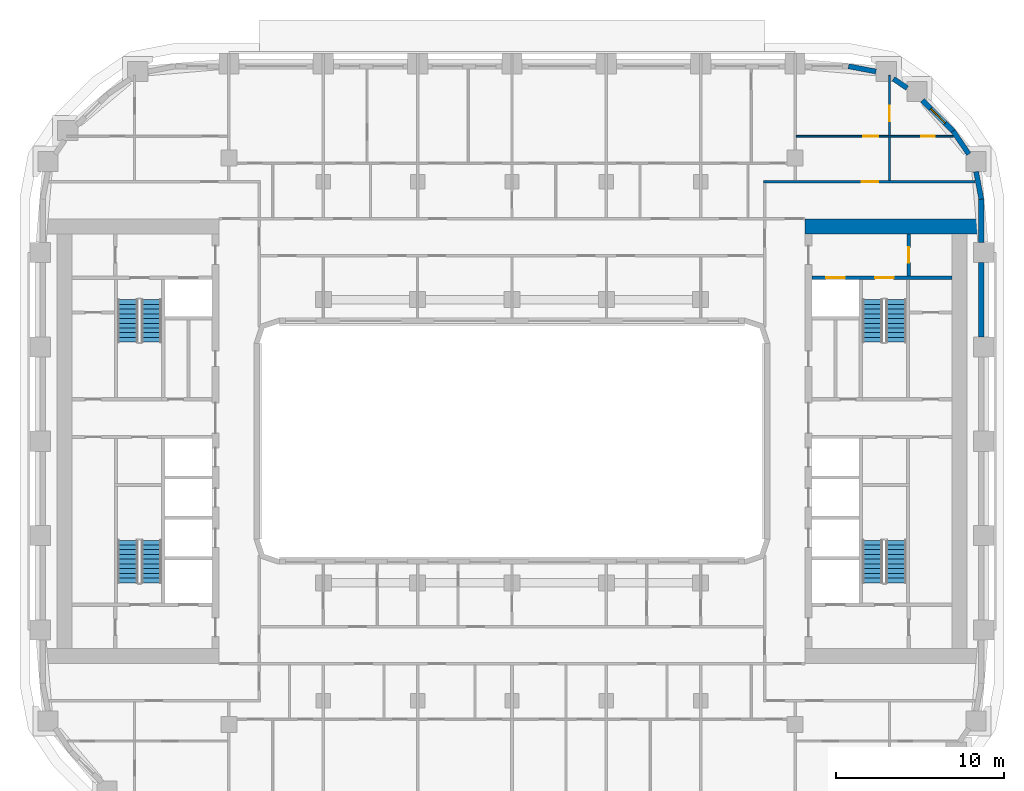
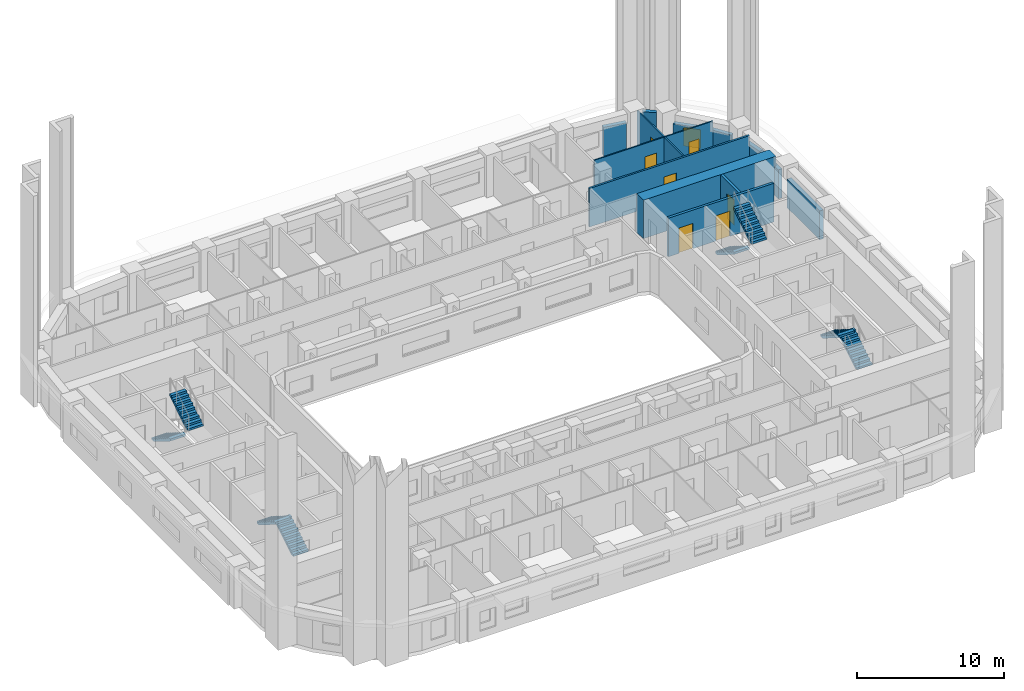
# One storey, part 11 of 23: 14 walls, 8 stair flights, 7 doors, 1 window, 8 openings, 4 elements without a shape of their own.
"""IFC4 building model written with IfcOpenShell, lengths in metres."""

from ifc_helpers import new_model, si_unit, direction, frame, frame_2d, origin, place, context, subcontext, project, spatial, polyline, rectangle, outline, extrude, material, layer, layer_set, type_object, element, fill, aggregate, save


model = new_model("IFC4")

# Units and contexts
model_context = context("Model", 3, precision=1e-05, world=origin(), true_north=direction((0.0, 1.0)))
body_context = subcontext(model_context, "Body", "Model", "MODEL_VIEW")
ifc_project = project(units=[si_unit("LENGTHUNIT", "METRE"), si_unit("AREAUNIT", "SQUARE_METRE"), si_unit("VOLUMEUNIT", "CUBIC_METRE"), si_unit("PLANEANGLEUNIT", "RADIAN"), si_unit("MASSUNIT", "GRAM", prefix="KILO")], contexts=[model_context])

# Site, building, storey
site_placement = place(None, origin())
site = spatial("IfcSite", under=ifc_project, at=site_placement, CompositionType="ELEMENT")
building_placement = place(site_placement, origin())
building = spatial("IfcBuilding", under=site, at=building_placement, Name="Kiln Ring Residences", CompositionType="ELEMENT")
storey_placement = place(building_placement, frame((0.0, 0.0, 107.800048828125)))
storey = spatial("IfcBuildingStorey", under=building, at=storey_placement, Name="L27", CompositionType="ELEMENT", Elevation=107.800048828125)

# Wall, opening, door
ifc_material_1 = material(Name="Gypsum board on steel studs", Category="steel")
ifc_layer_1 = layer(ifc_material_1, 0.199951171875)
ifc_layer_set_1 = layer_set([ifc_layer_1], Name="CORE-PARTITION-200")
wall_type_1 = type_object("IfcWallType", Name="CORE-PARTITION-200", PredefinedType="PARTITIONING", material=ifc_layer_set_1)
wall_1_placement = place(storey_placement, frame((23.550048828125, 9.800048828125, 0.0), z_axis=(0.0, 0.0, 1.0), x_axis=(0.0, 1.0, 0.0)))
wall_1 = element("IfcWall", 1, at=wall_1_placement, inside=storey, type_object=wall_type_1, Name="Core partition east L27 4", PredefinedType="PARTITIONING", context=body_context, shape_type="SweptSolid", body=[
    extrude(rectangle(XDim=2.5, YDim=0.199951171875, at=frame_2d((1.25, 0.0))), origin(), (0.0, 0.0, 1.0), 3.199951171875),
])
opening_1_placement = place(wall_1_placement, frame((0.800048828125, 0.0, 0.0)))
opening_1 = element("IfcOpeningElement", 2, at=opening_1_placement, cuts=wall_1, Name="Opening L27-CE10", PredefinedType="OPENING", context=body_context, shape_type="SweptSolid", body=[
    extrude(rectangle(XDim=0.89990234375, YDim=2.10009765625, at=frame_2d((0.449951171875, 1.050048828125))), frame((0.0, 0.10986328125, 0.0), z_axis=(0.0, -1.0, 0.0), x_axis=(1.0, 0.0, 0.0)), (0.0, 0.0, 1.0), 0.219970703125),
])
ifc_material_2 = material(Name="Steel door leaf", Category="steel")
door_type_1 = type_object("IfcDoorType", Name="CORE-DOOR-ROOM", OperationType="SINGLE_SWING_LEFT", PredefinedType="DOOR", material=ifc_material_2)
door_1_placement = place(opening_1_placement, origin())
door_1 = element("IfcDoor", 3, at=door_1_placement, inside=storey, type_object=door_type_1, Name="Fire riser room L27-CE10", OperationType="SINGLE_SWING_LEFT", OverallHeight=2.10009765625, OverallWidth=0.89990234375, PredefinedType="DOOR", context=body_context, shape_type="SweptSolid", body=[
    extrude(rectangle(XDim=0.89990234375, YDim=2.10009765625, at=frame_2d((0.449951171875, 1.050048828125))), frame((0.0, 0.02490234375, 0.0), z_axis=(0.0, -1.0, 0.0), x_axis=(1.0, 0.0, 0.0)), (0.0, 0.0, 1.0), 0.050048828125),
])
fill(opening_1, door_1)

# Wall, openings, doors
ifc_material_3 = material(Name="Concrete C40/50", Category="concrete")
ifc_layer_2 = layer(ifc_material_3, 0.199951171875)
ifc_layer_set_2 = layer_set([ifc_layer_2], Name="CORE-WALL-RC200")
wall_type_2 = type_object("IfcWallType", Name="CORE-WALL-RC200", PredefinedType="SHEAR", material=ifc_layer_set_2)
wall_2_placement = place(storey_placement, frame((17.800048828125, 9.699951171875, 0.0), z_axis=(0.0, 0.0, 1.0), x_axis=(1.0, 0.0, 0.0)))
wall_2 = element("IfcWall", 4, at=wall_2_placement, inside=storey, type_object=wall_type_2, Name="Core wall east L27 9", PredefinedType="SHEAR", context=body_context, shape_type="SweptSolid", body=[
    extrude(rectangle(XDim=8.300048828125, YDim=0.199951171875, at=frame_2d((4.14990234375, 0.0))), origin(), (0.0, 0.0, 1.0), 3.199951171875),
])
opening_2_placement = place(wall_2_placement, frame((0.85009765625, 0.0, 0.0)))
opening_2 = element("IfcOpeningElement", 5, at=opening_2_placement, cuts=wall_2, Name="Opening L27-CE07", PredefinedType="OPENING", context=body_context, shape_type="SweptSolid", body=[
    extrude(rectangle(XDim=1.10009765625, YDim=2.10009765625, at=frame_2d((0.550048828125, 1.050048828125))), frame((0.0, 0.10986328125, 0.0), z_axis=(0.0, -1.0, 0.0), x_axis=(1.0, 0.0, 0.0)), (0.0, 0.0, 1.0), 0.219970703125),
])
opening_3_placement = place(wall_2_placement, frame((3.75, 0.0, 0.0)))
opening_3 = element("IfcOpeningElement", 6, at=opening_3_placement, cuts=wall_2, Name="Opening L27-CE12", PredefinedType="OPENING", context=body_context, shape_type="SweptSolid", body=[
    extrude(rectangle(XDim=1.10009765625, YDim=2.10009765625, at=frame_2d((0.550048828125, 1.050048828125))), frame((0.0, 0.10986328125, 0.0), z_axis=(0.0, -1.0, 0.0), x_axis=(1.0, 0.0, 0.0)), (0.0, 0.0, 1.0), 0.219970703125),
])
ifc_material_4 = material(Name="Steel door leaf", Category="steel")
door_type_2 = type_object("IfcDoorType", Name="CORE-DOOR-LD", OperationType="DOUBLE_DOOR_SLIDING", PredefinedType="DOOR", material=ifc_material_4)
door_2_placement = place(opening_2_placement, origin())
door_2 = element("IfcDoor", 7, at=door_2_placement, inside=storey, type_object=door_type_2, Name="LD E-FF L27-CE07", OperationType="DOUBLE_DOOR_SLIDING", OverallHeight=2.10009765625, OverallWidth=1.10009765625, PredefinedType="DOOR", context=body_context, shape_type="SweptSolid", body=[
    extrude(rectangle(XDim=1.10009765625, YDim=2.10009765625, at=frame_2d((0.550048828125, 1.050048828125))), frame((0.0, 0.02490234375, 0.0), z_axis=(0.0, -1.0, 0.0), x_axis=(1.0, 0.0, 0.0)), (0.0, 0.0, 1.0), 0.050048828125),
])
fill(opening_2, door_2)
ifc_material_5 = material(Name="Steel door leaf", Category="steel")
door_type_3 = type_object("IfcDoorType", Name="CORE-DOOR-STAIR", OperationType="SINGLE_SWING_LEFT", PredefinedType="DOOR", material=ifc_material_5)
door_3_placement = place(opening_3_placement, origin())
door_3 = element("IfcDoor", 8, at=door_3_placement, inside=storey, type_object=door_type_3, Name="Stair E-STN L27-CE12", OperationType="SINGLE_SWING_LEFT", OverallHeight=2.10009765625, OverallWidth=1.10009765625, PredefinedType="DOOR", context=body_context, shape_type="SweptSolid", body=[
    extrude(rectangle(XDim=1.10009765625, YDim=2.10009765625, at=frame_2d((0.550048828125, 1.050048828125))), frame((0.0, 0.02490234375, 0.0), z_axis=(0.0, -1.0, 0.0), x_axis=(1.0, 0.0, 0.0)), (0.0, 0.0, 1.0), 0.050048828125),
])
fill(opening_3, door_3)

# Walls
ifc_material_6 = material(Name="Concrete C60/75", Category="concrete")
ifc_layer_3 = layer(ifc_material_6, 0.89990234375)
ifc_layer_set_3 = layer_set([ifc_layer_3], Name="CORE-WALL-RC900")
wall_type_3 = type_object("IfcWallType", Name="CORE-WALL-RC900", PredefinedType="SHEAR", material=ifc_layer_set_3)
wall_3_placement = place(storey_placement, frame((17.39990234375, 12.75, 0.0), z_axis=(0.0, 0.0, 1.0), x_axis=(1.0, 0.0, 0.0)))
element("IfcWall", 9, at=wall_3_placement, inside=storey, type_object=wall_type_3, Name="Core wall east L27 4", PredefinedType="SHEAR", context=body_context, shape_type="SweptSolid", body=[
    extrude(rectangle(XDim=10.400146484375, YDim=0.89990234375, at=frame_2d((5.2001953125, 0.0))), origin(), (0.0, 0.0, 1.0), 3.199951171875),
])
ifc_material_7 = material(Name="Brick masonry, dark clay brick", Category="masonry")
ifc_layer_4 = layer(ifc_material_7, 0.300048828125)
ifc_layer_set_4 = layer_set([ifc_layer_4], Name="EW-300 BRICK WALL")
wall_type_4 = type_object("IfcWallType", Name="EW-300 BRICK WALL", PredefinedType="SOLIDWALL", material=ifc_layer_set_4)
wall_4_placement = place(storey_placement, frame((27.85009765625, 6.199951171875, 0.0), z_axis=(0.0, 0.0, 1.0), x_axis=(0.0, 1.0, 0.0)))
element("IfcWall", 10, at=wall_4_placement, inside=storey, type_object=wall_type_4, Name="Facade wall L27 21", PredefinedType="SOLIDWALL", context=body_context, shape_type="SweptSolid", body=[
    extrude(rectangle(XDim=4.400146484375, YDim=0.300048828125, at=frame_2d((2.2001953125, 0.0))), origin(), (0.0, 0.0, 1.0), 2.39990234375),
])
wall_5_placement = place(storey_placement, frame((27.85009765625, 11.800048828125, 0.0), z_axis=(0.0, 0.0, 1.0), x_axis=(0.0, 1.0, 0.0)))
element("IfcWall", 11, at=wall_5_placement, inside=storey, type_object=wall_type_4, Name="Facade wall L27 22", PredefinedType="SOLIDWALL", context=body_context, shape_type="SweptSolid", body=[
    extrude(rectangle(XDim=2.599853515625, YDim=0.300048828125, at=frame_2d((1.2998046875, 0.0))), origin(), (0.0, 0.0, 1.0), 2.39990234375),
])
for number, where, z_axis, x_axis, name in (
    (12, (27.8525390625, 14.371826171875, 0.0), (0.0, 0.0, 1.0), (-0.187349172861, 0.982293381546, 0.0), "Facade wall L27 23"),
    (13, (27.10986328125, 17.04296875, 0.0), (0.0, 0.0, 1.0), (-0.562060017944, 0.82709644917, 0.0), "Facade wall L27 24"),
):
    element("IfcWall", number, at=place(storey_placement, frame(where, z_axis=z_axis, x_axis=x_axis)), inside=storey, type_object=wall_type_4, Name=name, PredefinedType="SOLIDWALL", context=body_context, shape_type="SweptSolid", body=[
        extrude(rectangle(XDim=1.65625, YDim=0.300048828125, at=frame_2d((0.828125, 0.0))), origin(), (0.0, 0.0, 1.0), 2.39990234375),
    ])

# Wall, opening, window
wall_6_placement = place(storey_placement, frame((26.19677734375, 18.390869140625, 0.0), z_axis=(0.0, 0.0, 1.0), x_axis=(-0.707059830104, 0.707153729152, 0.0)))
wall_6 = element("IfcWall", 14, at=wall_6_placement, inside=storey, type_object=wall_type_4, Name="Facade wall L27 25", PredefinedType="SOLIDWALL", context=body_context, shape_type="SweptSolid", body=[
    extrude(rectangle(XDim=2.60009765625, YDim=0.300048828125, at=frame_2d((1.300048828125, 0.0))), origin(), (0.0, 0.0, 1.0), 2.39990234375),
])
opening_4_placement = place(wall_6_placement, frame((0.699951171875, 0.0, 0.60009765625)))
opening_4 = element("IfcOpeningElement", 15, at=opening_4_placement, cuts=wall_6, Name="Opening W1", PredefinedType="OPENING", context=body_context, shape_type="SweptSolid", body=[
    extrude(rectangle(XDim=1.199951171875, YDim=1.550048828125, at=frame_2d((0.60009765625, 0.77490234375))), frame((0.0, 0.159912109375, 0.0), z_axis=(0.0, -1.0, 0.0), x_axis=(1.0, 0.0, 0.0)), (0.0, 0.0, 1.0), 0.320068359375),
])
ifc_material_8 = material(Name="Aluminium frame with double glazing", Category="aluminium")
window_type = type_object("IfcWindowType", Name="WINDOW 1200 x 1550", PartitioningType="SINGLE_PANEL", PredefinedType="WINDOW", material=ifc_material_8)
window_placement = place(opening_4_placement, origin())
window = element("IfcWindow", 16, at=window_placement, inside=storey, type_object=window_type, Name="Window L27 14", OverallHeight=1.550048828125, OverallWidth=1.199951171875, PartitioningType="SINGLE_PANEL", PredefinedType="WINDOW", context=body_context, shape_type="SweptSolid", body=[
    extrude(rectangle(XDim=1.199951171875, YDim=1.550048828125, at=frame_2d((0.60009765625, 0.77490234375))), frame((0.0, 0.030029296875, 0.0), z_axis=(0.0, -1.0, 0.0), x_axis=(1.0, 0.0, 0.0)), (0.0, 0.0, 1.0), 0.06005859375),
])
fill(opening_4, window)

# Walls
wall_7_placement = place(storey_placement, frame((23.451171875, 20.96044921875, 0.0), z_axis=(0.0, 0.0, 1.0), x_axis=(-0.827019434577, 0.562173331661, 0.0)))
element("IfcWall", 17, at=wall_7_placement, inside=storey, type_object=wall_type_4, Name="Facade wall L27 26", PredefinedType="SOLIDWALL", context=body_context, shape_type="SweptSolid", body=[
    extrude(rectangle(XDim=0.97705078125, YDim=0.300048828125, at=frame_2d((0.488525390625, 0.0))), origin(), (0.0, 0.0, 1.0), 3.199951171875),
])
wall_8_placement = place(storey_placement, frame((21.5986328125, 21.9423828125, 0.0), z_axis=(0.0, 0.0, 1.0), x_axis=(-0.98228820662, 0.187376303559, 0.0)))
element("IfcWall", 18, at=wall_8_placement, inside=storey, type_object=wall_type_4, Name="Facade wall L27 27", PredefinedType="SOLIDWALL", context=body_context, shape_type="SweptSolid", body=[
    extrude(rectangle(XDim=1.656005859375, YDim=0.300048828125, at=frame_2d((0.828125, 0.0))), origin(), (0.0, 0.0, 1.0), 2.39990234375),
])

# Wall, openings, doors
ifc_material_9 = material(Name="Gypsum board on steel studs", Category="steel")
ifc_layer_5 = layer(ifc_material_9, 0.10009765625)
ifc_layer_set_5 = layer_set([ifc_layer_5], Name="PARTITION-100")
wall_type_5 = type_object("IfcWallType", Name="PARTITION-100", PredefinedType="PARTITIONING", material=ifc_layer_set_5)
wall_9_placement = place(storey_placement, frame((16.875, 18.10009765625, 0.0), z_axis=(0.0, 0.0, 1.0), x_axis=(1.0, 0.0, 0.0)))
wall_9 = element("IfcWall", 19, at=wall_9_placement, inside=storey, type_object=wall_type_5, Name="Partition 013", PredefinedType="PARTITIONING", context=body_context, shape_type="SweptSolid", body=[
    extrude(rectangle(XDim=9.315185546875, YDim=0.10009765625, at=frame_2d((4.65771484375, 0.0))), origin(), (0.0, 0.0, 1.0), 3.199951171875),
])
opening_5_placement = place(wall_9_placement, frame((7.425048828125, 0.0, 0.0)))
opening_5 = element("IfcOpeningElement", 20, at=opening_5_placement, cuts=wall_9, Name="Opening L27-D036", PredefinedType="OPENING", context=body_context, shape_type="SweptSolid", body=[
    extrude(rectangle(XDim=0.800048828125, YDim=2.10009765625, at=frame_2d((0.39990234375, 1.050048828125))), frame((0.0, 0.06005859375, 0.0), z_axis=(0.0, -1.0, 0.0), x_axis=(1.0, 0.0, 0.0)), (0.0, 0.0, 1.0), 0.1201171875),
])
opening_6_placement = place(wall_9_placement, frame((3.97509765625, 0.0, 0.0)))
opening_6 = element("IfcOpeningElement", 21, at=opening_6_placement, cuts=wall_9, Name="Opening L27-D037", PredefinedType="OPENING", context=body_context, shape_type="SweptSolid", body=[
    extrude(rectangle(XDim=0.89990234375, YDim=2.10009765625, at=frame_2d((0.449951171875, 1.050048828125))), frame((0.0, 0.06005859375, 0.0), z_axis=(0.0, -1.0, 0.0), x_axis=(1.0, 0.0, 0.0)), (0.0, 0.0, 1.0), 0.1201171875),
])
ifc_material_10 = material(Name="Timber door leaf", Category="wood")
door_type_4 = type_object("IfcDoorType", Name="FLAT-DOOR-800-PL", OperationType="SINGLE_SWING_LEFT", PredefinedType="DOOR", material=ifc_material_10)
door_4_placement = place(opening_5_placement, origin())
door_4 = element("IfcDoor", 22, at=door_4_placement, inside=storey, type_object=door_type_4, Name="Door L27-D036", OperationType="SINGLE_SWING_RIGHT", OverallHeight=2.10009765625, OverallWidth=0.800048828125, PredefinedType="DOOR", context=body_context, shape_type="SweptSolid", body=[
    extrude(rectangle(XDim=0.800048828125, YDim=2.10009765625, at=frame_2d((0.39990234375, 1.050048828125))), frame((0.0, 0.02490234375, 0.0), z_axis=(0.0, -1.0, 0.0), x_axis=(1.0, 0.0, 0.0)), (0.0, 0.0, 1.0), 0.050048828125),
])
fill(opening_5, door_4)
ifc_material_11 = material(Name="Timber door leaf", Category="wood")
door_type_5 = type_object("IfcDoorType", Name="FLAT-DOOR-900-PL", OperationType="SINGLE_SWING_LEFT", PredefinedType="DOOR", material=ifc_material_11)
door_5_placement = place(opening_6_placement, origin())
door_5 = element("IfcDoor", 23, at=door_5_placement, inside=storey, type_object=door_type_5, Name="Door L27-D037", OperationType="SINGLE_SWING_LEFT", OverallHeight=2.10009765625, OverallWidth=0.89990234375, PredefinedType="DOOR", context=body_context, shape_type="SweptSolid", body=[
    extrude(rectangle(XDim=0.89990234375, YDim=2.10009765625, at=frame_2d((0.449951171875, 1.050048828125))), frame((0.0, 0.02490234375, 0.0), z_axis=(0.0, -1.0, 0.0), x_axis=(1.0, 0.0, 0.0)), (0.0, 0.0, 1.0), 0.050048828125),
])
fill(opening_6, door_5)

# Wall
wall_10_placement = place(storey_placement, frame((22.39990234375, 15.47509765625, 0.0), z_axis=(0.0, 0.0, 1.0), x_axis=(0.0, 1.0, 0.0)))
element("IfcWall", 24, at=wall_10_placement, inside=storey, type_object=wall_type_5, Name="Partition 082", PredefinedType="PARTITIONING", context=body_context, shape_type="SweptSolid", body=[
    extrude(rectangle(XDim=2.574951171875, YDim=0.10009765625, at=frame_2d((1.28759765625, 0.0))), origin(), (0.0, 0.0, 1.0), 3.199951171875),
])

# Wall, opening, door
wall_11_placement = place(storey_placement, frame((22.39990234375, 18.14990234375, 0.0), z_axis=(0.0, 0.0, 1.0), x_axis=(0.0, 1.0, 0.0)))
wall_11 = element("IfcWall", 25, at=wall_11_placement, inside=storey, type_object=wall_type_5, Name="Partition 083", PredefinedType="PARTITIONING", context=body_context, shape_type="SweptSolid", body=[
    extrude(rectangle(XDim=3.570068359375, YDim=0.10009765625, at=frame_2d((1.78515625, 0.0))), origin(), (0.0, 0.0, 1.0), 3.199951171875),
])
opening_7_placement = place(wall_11_placement, frame((0.85009765625, 0.0, 0.0)))
opening_7 = element("IfcOpeningElement", 26, at=opening_7_placement, cuts=wall_11, Name="Opening L27-D038", PredefinedType="OPENING", context=body_context, shape_type="SweptSolid", body=[
    extrude(rectangle(XDim=0.89990234375, YDim=2.10009765625, at=frame_2d((0.449951171875, 1.050048828125))), frame((0.0, 0.06005859375, 0.0), z_axis=(0.0, -1.0, 0.0), x_axis=(1.0, 0.0, 0.0)), (0.0, 0.0, 1.0), 0.1201171875),
])
door_6_placement = place(opening_7_placement, origin())
door_6 = element("IfcDoor", 27, at=door_6_placement, inside=storey, type_object=door_type_5, Name="Door L27-D038", OperationType="SINGLE_SWING_LEFT", OverallHeight=2.10009765625, OverallWidth=0.89990234375, PredefinedType="DOOR", context=body_context, shape_type="SweptSolid", body=[
    extrude(rectangle(XDim=0.89990234375, YDim=2.10009765625, at=frame_2d((0.449951171875, 1.050048828125))), frame((0.0, 0.02490234375, 0.0), z_axis=(0.0, -1.0, 0.0), x_axis=(1.0, 0.0, 0.0)), (0.0, 0.0, 1.0), 0.050048828125),
])
fill(opening_7, door_6)

ifc_material_12 = material(Name="Brick masonry partition", Category="masonry")
ifc_layer_6 = layer(ifc_material_12, 0.14990234375)
ifc_layer_set_6 = layer_set([ifc_layer_6], Name="PARTITION-150-ei60")
wall_type_6 = type_object("IfcWallType", Name="PARTITION-150-ei60", PredefinedType="PARTITIONING", material=ifc_layer_set_6)
wall_12_placement = place(storey_placement, frame((14.925048828125, 15.39990234375, 0.0), z_axis=(0.0, 0.0, 1.0), x_axis=(1.0, 0.0, 0.0)))
wall_12 = element("IfcWall", 28, at=wall_12_placement, inside=storey, type_object=wall_type_6, Name="Partition 010", PredefinedType="PARTITIONING", context=body_context, shape_type="SweptSolid", body=[
    extrude(rectangle(XDim=12.558837890625, YDim=0.14990234375, at=frame_2d((6.279296875, 0.0))), origin(), (0.0, 0.0, 1.0), 3.199951171875),
])
opening_8_placement = place(wall_12_placement, frame((5.824951171875, 0.0, 0.0)))
opening_8 = element("IfcOpeningElement", 29, at=opening_8_placement, cuts=wall_12, Name="Opening L27-D035", PredefinedType="OPENING", context=body_context, shape_type="SweptSolid", body=[
    extrude(rectangle(XDim=1.0, YDim=2.10009765625, at=frame_2d((0.5, 1.050048828125))), frame((0.0, 0.0849609375, 0.0), z_axis=(0.0, -1.0, 0.0), x_axis=(1.0, 0.0, 0.0)), (0.0, 0.0, 1.0), 0.169921875),
])
ifc_material_13 = material(Name="Steel faced fire door leaf", Category="steel")
door_type_6 = type_object("IfcDoorType", Name="FLAT-DOOR-1000-FR", OperationType="SINGLE_SWING_LEFT", PredefinedType="DOOR", material=ifc_material_13)
door_7_placement = place(opening_8_placement, origin())
door_7 = element("IfcDoor", 30, at=door_7_placement, inside=storey, type_object=door_type_6, Name="Door L27-D035", OperationType="SINGLE_SWING_LEFT", OverallHeight=2.10009765625, OverallWidth=1.0, PredefinedType="DOOR", context=body_context, shape_type="SweptSolid", body=[
    extrude(rectangle(XDim=1.0, YDim=2.10009765625, at=frame_2d((0.5, 1.050048828125))), frame((0.0, 0.02490234375, 0.0), z_axis=(0.0, -1.0, 0.0), x_axis=(1.0, 0.0, 0.0)), (0.0, 0.0, 1.0), 0.050048828125),
])
fill(opening_8, door_7)

# Stair, stair flights
ifc_material_14 = material(Name="Concrete C40/50", Category="concrete")
stair_type = type_object("IfcStairType", Name="CORE-STAIR", PredefinedType="HALF_TURN_STAIR", material=ifc_material_14)
placement = place(storey_placement, origin())
stair_1 = element("IfcStair", 31, at=placement, inside=storey, type_object=stair_type, Name="L27 stair W-STN", PredefinedType="HALF_TURN_STAIR")
ifc_material_15 = material(Name="Concrete C40/50", Category="concrete")
stair_flight_type = type_object("IfcStairFlightType", Name="CORE-STAIR-FLIGHT", PredefinedType="STRAIGHT", material=ifc_material_15)
stair_flight_1_placement = place(storey_placement, frame((-22.800048828125, 8.39990234375, 0.0), z_axis=(0.0, 0.0, 1.0), x_axis=(0.0, -1.0, 0.0)))
stair_flight_1 = element("IfcStairFlight", 32, at=stair_flight_1_placement, type_object=stair_flight_type, Name="W-STN flight 1", NumberOfRisers=10, NumberOfTreads=9, PredefinedType="STRAIGHT", RiserHeight=0.175, TreadLength=0.28, context=body_context, shape_type="SweptSolid", body=[
    extrude(outline(polyline([(0.0, 0.0), (0.0, 0.175048828125), (0.280029296875, 0.175048828125), (0.280029296875, 0.35009765625), (0.56005859375, 0.35009765625), (0.56005859375, 0.52490234375), (0.840087890625, 0.52490234375), (0.840087890625, 0.699951171875), (1.1201171875, 0.699951171875), (1.1201171875, 0.875), (1.39990234375, 0.875), (1.39990234375, 1.050048828125), (1.679931640625, 1.050048828125), (1.679931640625, 1.22509765625), (1.9599609375, 1.22509765625), (1.9599609375, 1.39990234375), (2.239990234375, 1.39990234375), (2.239990234375, 1.574951171875), (2.52001953125, 1.574951171875), (2.52001953125, 1.75), (2.52001953125, 1.398193359375), (0.28271484375, 0.0), (0.0, 0.0)])), frame((0.0, 0.60009765625, 0.0), z_axis=(0.0, -1.0, 0.0), x_axis=(1.0, 0.0, 0.0)), (0.0, 0.0, 1.0), 1.199951171875),
])
stair_flight_2_placement = place(storey_placement, frame((-21.39990234375, 5.8798828125, 1.75), z_axis=(0.0, 0.0, 1.0), x_axis=(0.0, 1.0, 0.0)))
stair_flight_2 = element("IfcStairFlight", 33, at=stair_flight_2_placement, type_object=stair_flight_type, Name="W-STN flight 2", NumberOfRisers=10, NumberOfTreads=9, PredefinedType="STRAIGHT", RiserHeight=0.175, TreadLength=0.28, context=body_context, shape_type="SweptSolid", body=[
    extrude(outline(polyline([(0.0, 0.0), (0.0, 0.175048828125), (0.280029296875, 0.175048828125), (0.280029296875, 0.35009765625), (0.56005859375, 0.35009765625), (0.56005859375, 0.52490234375), (0.840087890625, 0.52490234375), (0.840087890625, 0.699951171875), (1.1201171875, 0.699951171875), (1.1201171875, 0.875), (1.39990234375, 0.875), (1.39990234375, 1.050048828125), (1.679931640625, 1.050048828125), (1.679931640625, 1.22509765625), (1.9599609375, 1.22509765625), (1.9599609375, 1.39990234375), (2.239990234375, 1.39990234375), (2.239990234375, 1.574951171875), (2.52001953125, 1.574951171875), (2.52001953125, 1.75), (2.52001953125, 1.398193359375), (0.28271484375, 0.0), (0.0, 0.0)])), frame((0.0, 0.60009765625, 0.0), z_axis=(0.0, -1.0, 0.0), x_axis=(1.0, 0.0, 0.0)), (0.0, 0.0, 1.0), 1.199951171875),
])
aggregate(stair_1, [stair_flight_1, stair_flight_2])

stair_2 = element("IfcStair", 34, at=placement, inside=storey, type_object=stair_type, Name="L27 stair W-STS", PredefinedType="HALF_TURN_STAIR")
stair_flight_3_placement = place(storey_placement, frame((-21.39990234375, -8.39990234375, 0.0), z_axis=(0.0, 0.0, 1.0), x_axis=(0.0, 1.0, 0.0)))
stair_flight_3 = element("IfcStairFlight", 35, at=stair_flight_3_placement, type_object=stair_flight_type, Name="W-STS flight 1", NumberOfRisers=10, NumberOfTreads=9, PredefinedType="STRAIGHT", RiserHeight=0.175, TreadLength=0.28, context=body_context, shape_type="SweptSolid", body=[
    extrude(outline(polyline([(0.0, 0.0), (0.0, 0.175048828125), (0.280029296875, 0.175048828125), (0.280029296875, 0.35009765625), (0.56005859375, 0.35009765625), (0.56005859375, 0.52490234375), (0.840087890625, 0.52490234375), (0.840087890625, 0.699951171875), (1.1201171875, 0.699951171875), (1.1201171875, 0.875), (1.39990234375, 0.875), (1.39990234375, 1.050048828125), (1.679931640625, 1.050048828125), (1.679931640625, 1.22509765625), (1.9599609375, 1.22509765625), (1.9599609375, 1.39990234375), (2.239990234375, 1.39990234375), (2.239990234375, 1.574951171875), (2.52001953125, 1.574951171875), (2.52001953125, 1.75), (2.52001953125, 1.398193359375), (0.28271484375, 0.0), (0.0, 0.0)])), frame((0.0, 0.60009765625, 0.0), z_axis=(0.0, -1.0, 0.0), x_axis=(1.0, 0.0, 0.0)), (0.0, 0.0, 1.0), 1.199951171875),
])
stair_flight_4_placement = place(storey_placement, frame((-22.800048828125, -5.8798828125, 1.75), z_axis=(0.0, 0.0, 1.0), x_axis=(0.0, -1.0, 0.0)))
stair_flight_4 = element("IfcStairFlight", 36, at=stair_flight_4_placement, type_object=stair_flight_type, Name="W-STS flight 2", NumberOfRisers=10, NumberOfTreads=9, PredefinedType="STRAIGHT", RiserHeight=0.175, TreadLength=0.28, context=body_context, shape_type="SweptSolid", body=[
    extrude(outline(polyline([(0.0, 0.0), (0.0, 0.175048828125), (0.280029296875, 0.175048828125), (0.280029296875, 0.35009765625), (0.56005859375, 0.35009765625), (0.56005859375, 0.52490234375), (0.840087890625, 0.52490234375), (0.840087890625, 0.699951171875), (1.1201171875, 0.699951171875), (1.1201171875, 0.875), (1.39990234375, 0.875), (1.39990234375, 1.050048828125), (1.679931640625, 1.050048828125), (1.679931640625, 1.22509765625), (1.9599609375, 1.22509765625), (1.9599609375, 1.39990234375), (2.239990234375, 1.39990234375), (2.239990234375, 1.574951171875), (2.52001953125, 1.574951171875), (2.52001953125, 1.75), (2.52001953125, 1.398193359375), (0.28271484375, 0.0), (0.0, 0.0)])), frame((0.0, 0.60009765625, 0.0), z_axis=(0.0, -1.0, 0.0), x_axis=(1.0, 0.0, 0.0)), (0.0, 0.0, 1.0), 1.199951171875),
])
aggregate(stair_2, [stair_flight_3, stair_flight_4])

stair_3 = element("IfcStair", 37, at=placement, inside=storey, type_object=stair_type, Name="L27 stair E-STN", PredefinedType="HALF_TURN_STAIR")
stair_flight_5_placement = place(storey_placement, frame((21.39990234375, 8.39990234375, 0.0), z_axis=(0.0, 0.0, 1.0), x_axis=(0.0, -1.0, 0.0)))
stair_flight_5 = element("IfcStairFlight", 38, at=stair_flight_5_placement, type_object=stair_flight_type, Name="E-STN flight 1", NumberOfRisers=10, NumberOfTreads=9, PredefinedType="STRAIGHT", RiserHeight=0.175, TreadLength=0.28, context=body_context, shape_type="SweptSolid", body=[
    extrude(outline(polyline([(0.0, 0.0), (0.0, 0.175048828125), (0.280029296875, 0.175048828125), (0.280029296875, 0.35009765625), (0.56005859375, 0.35009765625), (0.56005859375, 0.52490234375), (0.840087890625, 0.52490234375), (0.840087890625, 0.699951171875), (1.1201171875, 0.699951171875), (1.1201171875, 0.875), (1.39990234375, 0.875), (1.39990234375, 1.050048828125), (1.679931640625, 1.050048828125), (1.679931640625, 1.22509765625), (1.9599609375, 1.22509765625), (1.9599609375, 1.39990234375), (2.239990234375, 1.39990234375), (2.239990234375, 1.574951171875), (2.52001953125, 1.574951171875), (2.52001953125, 1.75), (2.52001953125, 1.398193359375), (0.28271484375, 0.0), (0.0, 0.0)])), frame((0.0, 0.60009765625, 0.0), z_axis=(0.0, -1.0, 0.0), x_axis=(1.0, 0.0, 0.0)), (0.0, 0.0, 1.0), 1.199951171875),
])
stair_flight_6_placement = place(storey_placement, frame((22.800048828125, 5.8798828125, 1.75), z_axis=(0.0, 0.0, 1.0), x_axis=(0.0, 1.0, 0.0)))
stair_flight_6 = element("IfcStairFlight", 39, at=stair_flight_6_placement, type_object=stair_flight_type, Name="E-STN flight 2", NumberOfRisers=10, NumberOfTreads=9, PredefinedType="STRAIGHT", RiserHeight=0.175, TreadLength=0.28, context=body_context, shape_type="SweptSolid", body=[
    extrude(outline(polyline([(0.0, 0.0), (0.0, 0.175048828125), (0.280029296875, 0.175048828125), (0.280029296875, 0.35009765625), (0.56005859375, 0.35009765625), (0.56005859375, 0.52490234375), (0.840087890625, 0.52490234375), (0.840087890625, 0.699951171875), (1.1201171875, 0.699951171875), (1.1201171875, 0.875), (1.39990234375, 0.875), (1.39990234375, 1.050048828125), (1.679931640625, 1.050048828125), (1.679931640625, 1.22509765625), (1.9599609375, 1.22509765625), (1.9599609375, 1.39990234375), (2.239990234375, 1.39990234375), (2.239990234375, 1.574951171875), (2.52001953125, 1.574951171875), (2.52001953125, 1.75), (2.52001953125, 1.398193359375), (0.28271484375, 0.0), (0.0, 0.0)])), frame((0.0, 0.60009765625, 0.0), z_axis=(0.0, -1.0, 0.0), x_axis=(1.0, 0.0, 0.0)), (0.0, 0.0, 1.0), 1.199951171875),
])
aggregate(stair_3, [stair_flight_5, stair_flight_6])

stair_4 = element("IfcStair", 40, at=placement, inside=storey, type_object=stair_type, Name="L27 stair E-STS", PredefinedType="HALF_TURN_STAIR")
stair_flight_7_placement = place(storey_placement, frame((22.800048828125, -8.39990234375, 0.0), z_axis=(0.0, 0.0, 1.0), x_axis=(0.0, 1.0, 0.0)))
stair_flight_7 = element("IfcStairFlight", 41, at=stair_flight_7_placement, type_object=stair_flight_type, Name="E-STS flight 1", NumberOfRisers=10, NumberOfTreads=9, PredefinedType="STRAIGHT", RiserHeight=0.175, TreadLength=0.28, context=body_context, shape_type="SweptSolid", body=[
    extrude(outline(polyline([(0.0, 0.0), (0.0, 0.175048828125), (0.280029296875, 0.175048828125), (0.280029296875, 0.35009765625), (0.56005859375, 0.35009765625), (0.56005859375, 0.52490234375), (0.840087890625, 0.52490234375), (0.840087890625, 0.699951171875), (1.1201171875, 0.699951171875), (1.1201171875, 0.875), (1.39990234375, 0.875), (1.39990234375, 1.050048828125), (1.679931640625, 1.050048828125), (1.679931640625, 1.22509765625), (1.9599609375, 1.22509765625), (1.9599609375, 1.39990234375), (2.239990234375, 1.39990234375), (2.239990234375, 1.574951171875), (2.52001953125, 1.574951171875), (2.52001953125, 1.75), (2.52001953125, 1.398193359375), (0.28271484375, 0.0), (0.0, 0.0)])), frame((0.0, 0.60009765625, 0.0), z_axis=(0.0, -1.0, 0.0), x_axis=(1.0, 0.0, 0.0)), (0.0, 0.0, 1.0), 1.199951171875),
])
stair_flight_8_placement = place(storey_placement, frame((21.39990234375, -5.8798828125, 1.75), z_axis=(0.0, 0.0, 1.0), x_axis=(0.0, -1.0, 0.0)))
stair_flight_8 = element("IfcStairFlight", 42, at=stair_flight_8_placement, type_object=stair_flight_type, Name="E-STS flight 2", NumberOfRisers=10, NumberOfTreads=9, PredefinedType="STRAIGHT", RiserHeight=0.175, TreadLength=0.28, context=body_context, shape_type="SweptSolid", body=[
    extrude(outline(polyline([(0.0, 0.0), (0.0, 0.175048828125), (0.280029296875, 0.175048828125), (0.280029296875, 0.35009765625), (0.56005859375, 0.35009765625), (0.56005859375, 0.52490234375), (0.840087890625, 0.52490234375), (0.840087890625, 0.699951171875), (1.1201171875, 0.699951171875), (1.1201171875, 0.875), (1.39990234375, 0.875), (1.39990234375, 1.050048828125), (1.679931640625, 1.050048828125), (1.679931640625, 1.22509765625), (1.9599609375, 1.22509765625), (1.9599609375, 1.39990234375), (2.239990234375, 1.39990234375), (2.239990234375, 1.574951171875), (2.52001953125, 1.574951171875), (2.52001953125, 1.75), (2.52001953125, 1.398193359375), (0.28271484375, 0.0), (0.0, 0.0)])), frame((0.0, 0.60009765625, 0.0), z_axis=(0.0, -1.0, 0.0), x_axis=(1.0, 0.0, 0.0)), (0.0, 0.0, 1.0), 1.199951171875),
])
aggregate(stair_4, [stair_flight_7, stair_flight_8])

save(model, "model.ifc")
